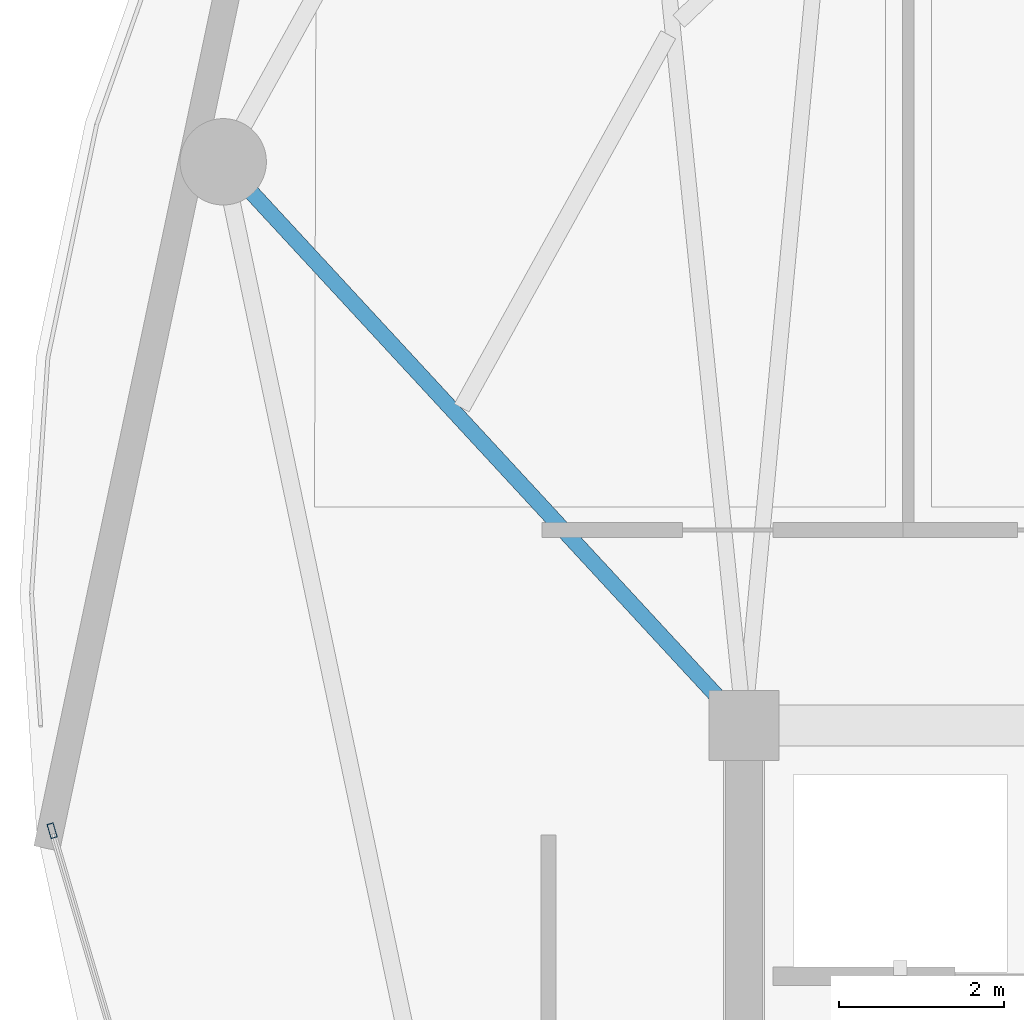
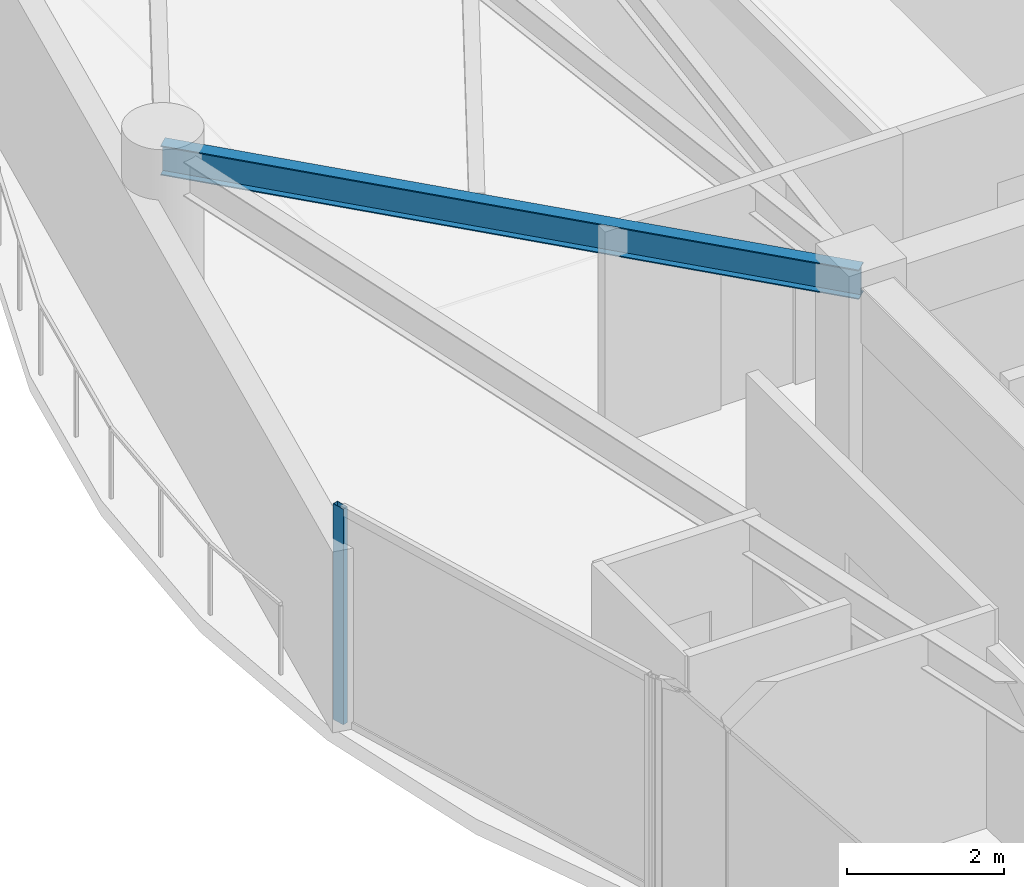
# One storey, part 7 of 29: 1 beam, 1 member, 1 element without a shape of its own.
"""IFC4 building model written with IfcOpenShell, lengths in metres."""

from ifc_helpers import new_model, si_unit, direction, frame, origin, origin_2d, place, context, subcontext, project, spatial, hollow_rectangle, i_section, extrude, material, layer, layer_set, material_profile, profile_set, type_object, element, aggregate, save


model = new_model("IFC4")

# Units and contexts
model_context = context("Model", 3, precision=1e-05, world=origin(), true_north=direction((0.0, 1.0)))
body_context = subcontext(model_context, "Body", "Model", "MODEL_VIEW")
ifc_project = project(units=[si_unit("LENGTHUNIT", "METRE"), si_unit("AREAUNIT", "SQUARE_METRE"), si_unit("VOLUMEUNIT", "CUBIC_METRE"), si_unit("PLANEANGLEUNIT", "RADIAN"), si_unit("MASSUNIT", "GRAM", prefix="KILO")], contexts=[model_context])

# Site, building, storey
site_placement = place(None, origin())
site = spatial("IfcSite", under=ifc_project, at=site_placement, CompositionType="ELEMENT")
building_placement = place(site_placement, origin())
building = spatial("IfcBuilding", under=site, at=building_placement, Name="Kazevale Care Tower and Concert Hall", CompositionType="ELEMENT")
storey_placement = place(building_placement, frame((0.0, 0.0, 195.60009765625)))
storey = spatial("IfcBuildingStorey", under=building, at=storey_placement, Name="L51", CompositionType="ELEMENT", Elevation=195.60009765625)

# Curtain wall, member
ifc_material_1 = material(Name="Aluminium 6063-T6 and Low-E Glass", Category="aluminium")
ifc_layer = layer(ifc_material_1, 0.179931640625)
ifc_layer_set = layer_set([ifc_layer], Name="Aluminium 6063-T6 and Low-E Glass")
curtain_wall_type = type_object("IfcCurtainWallType", Name="Waist & Upper Residential Curtain Wall CW-4", PredefinedType="NOTDEFINED", material=ifc_layer_set)
curtain_wall_placement = place(storey_placement, origin())
curtain_wall = element("IfcCurtainWall", 1, at=curtain_wall_placement, inside=storey, type_object=curtain_wall_type, Name="cw:L51:f12", PredefinedType="NOTDEFINED")
ifc_material_2 = material(Name="Aluminium 6063-T6", Category="aluminium")
ifc_material_profile_1 = material_profile(ifc_material_2, hollow_rectangle(XDim=0.080078125, YDim=0.179931640625, WallThickness=0.0048828125, at=origin_2d()), Name="ALU80x180x5")
ifc_profile_set_1 = profile_set([ifc_material_profile_1], Name="Aluminium 6063-T6")
member_type = type_object("IfcMemberType", Name="CW-4 Mullion ALU80x180x5", PredefinedType="MULLION", material=ifc_profile_set_1)
member_placement = place(storey_placement, frame((13.59033203125, 35.11865234375, 0.0), z_axis=(0.0, 0.0, 1.0), x_axis=(-0.959385539982, -0.282098184457, 0.0)))
member = element("IfcMember", 2, at=member_placement, type_object=member_type, Name="CW-4 mullion 2", PredefinedType="MULLION", context=body_context, shape_type="SweptSolid", body=[
    extrude(hollow_rectangle(XDim=0.080078125, YDim=0.179931640625, WallThickness=0.0048828125, at=origin_2d()), origin(), (0.0, 0.0, 1.0), 3.35986328125),
])
aggregate(curtain_wall, [member])

# Beam
ifc_material_3 = material(Name="Steel ASTM A572 Gr 50", Category="steel")
ifc_material_profile_2 = material_profile(ifc_material_3, i_section(OverallWidth=0.19091796875, OverallDepth=0.4599609375, WebThickness=0.010009765625, FlangeThickness=0.01611328125, at=origin_2d()), Name="W460x82")
ifc_profile_set_2 = profile_set([ifc_material_profile_2], Name="Steel ASTM A572 Gr 50")
beam_type = type_object("IfcBeamType", Name="Radial Floor Beam W460x82", PredefinedType="BEAM", material=ifc_profile_set_2)
beam_placement = place(storey_placement, frame((22.0, 36.39990234375, 3.1298828125), z_axis=(-0.678680078581, 0.734434034435, 0.0), x_axis=(-0.734434034435, -0.678680078581, 0.0)))
element("IfcBeam", 3, at=beam_placement, inside=storey, type_object=beam_type, Name="beam:L51:rad:09", PredefinedType="BEAM", context=body_context, shape_type="SweptSolid", body=[
    extrude(i_section(OverallWidth=0.19091796875, OverallDepth=0.4599609375, WebThickness=0.010009765625, FlangeThickness=0.01611328125, at=origin_2d()), origin(), (0.0, 0.0, 1.0), 9.3271484375),
])

save(model, "model.ifc")
